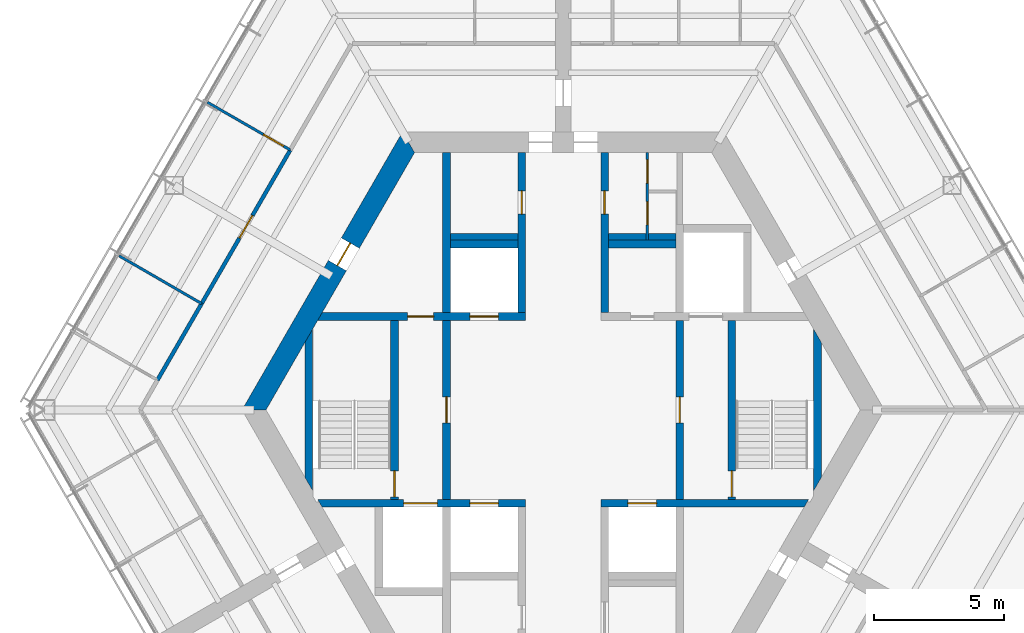
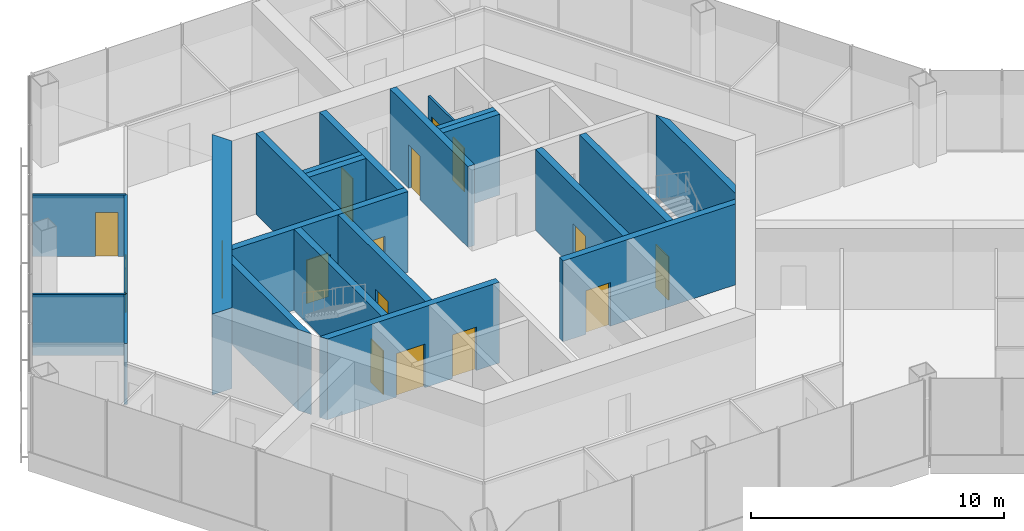
# One storey, part 8 of 13: 22 walls, 16 doors, 16 openings.
"""IFC4 building model written with IfcOpenShell, lengths in metres."""

from ifc_helpers import new_model, si_unit, direction, frame, frame_2d, origin, place, context, subcontext, project, spatial, polyline, rectangle, outline, extrude, material, layer, layer_set, type_object, element, fill, save


model = new_model("IFC4")

# Units and contexts
model_context = context("Model", 3, precision=1e-05, world=origin(), true_north=direction((0.0, 1.0)))
body_context = subcontext(model_context, "Body", "Model", "MODEL_VIEW")
ifc_project = project(units=[si_unit("LENGTHUNIT", "METRE"), si_unit("AREAUNIT", "SQUARE_METRE"), si_unit("VOLUMEUNIT", "CUBIC_METRE"), si_unit("PLANEANGLEUNIT", "RADIAN"), si_unit("MASSUNIT", "GRAM", prefix="KILO")], contexts=[model_context])

# Site, building, storey
site_placement = place(None, origin())
site = spatial("IfcSite", under=ifc_project, at=site_placement, CompositionType="ELEMENT")
building_placement = place(site_placement, origin())
building = spatial("IfcBuilding", under=site, at=building_placement, Name="Kasaneha Research Tower", CompositionType="ELEMENT")
storey_placement = place(building_placement, frame((0.0, 0.0, 290.800048828125)))
storey = spatial("IfcBuildingStorey", under=building, at=storey_placement, Name="L73", CompositionType="ELEMENT", Elevation=290.800048828125)

# Wall, openings, doors
ifc_material_1 = material(Name="Concrete Fc60", Category="concrete")
ifc_layer_1 = layer(ifc_material_1, 0.300048828125)
ifc_layer_set_1 = layer_set([ifc_layer_1], Name="Core internal wall 300 Fc60")
wall_type_1 = type_object("IfcWallType", Name="Core internal wall 300 Fc60", PredefinedType="SHEAR", material=ifc_layer_set_1)
wall_1_placement = place(storey_placement, frame((-9.3818359375, 3.60009765625, 0.0), z_axis=(0.0, 0.0, 1.0), x_axis=(1.0, 0.0, 0.0)))
wall_1 = element("IfcWall", 1, at=wall_1_placement, inside=storey, type_object=wall_type_1, Name="Core wall W1W L73", PredefinedType="SHEAR", context=body_context, shape_type="SweptSolid", body=[
    extrude(outline(polyline([(-0.086669921875, -0.14990234375), (3.3818359375, -0.14990234375), (4.3818359375, -0.14990234375), (5.781982421875, -0.14990234375), (6.882080078125, -0.14990234375), (7.931884765625, -0.14990234375), (7.931884765625, 0.14990234375), (6.882080078125, 0.14990234375), (5.781982421875, 0.14990234375), (4.3818359375, 0.14990234375), (3.3818359375, 0.14990234375), (0.086669921875, 0.14990234375), (-0.086669921875, -0.14990234375)])), origin(), (0.0, 0.0, 1.0), 3.89990234375),
])
opening_1_placement = place(wall_1_placement, frame((3.3818359375, 0.0, 0.0)))
opening_1 = element("IfcOpeningElement", 2, at=opening_1_placement, cuts=wall_1, Name="Opening L73-D12", PredefinedType="OPENING", context=body_context, shape_type="SweptSolid", body=[
    extrude(rectangle(XDim=1.0, YDim=2.10009765625, at=frame_2d((0.5, 1.050048828125))), frame((0.0, 0.16015625, 0.0), z_axis=(0.0, -1.0, 0.0), x_axis=(1.0, 0.0, 0.0)), (0.0, 0.0, 1.0), 0.320068359375),
])
opening_2_placement = place(wall_1_placement, frame((5.781982421875, 0.0, 0.0)))
opening_2 = element("IfcOpeningElement", 3, at=opening_2_placement, cuts=wall_1, Name="Opening LD-LH2-L73", PredefinedType="OPENING", context=body_context, shape_type="SweptSolid", body=[
    extrude(rectangle(XDim=1.10009765625, YDim=2.10009765625, at=frame_2d((0.550048828125, 1.050048828125))), frame((0.0, 0.16015625, 0.0), z_axis=(0.0, -1.0, 0.0), x_axis=(1.0, 0.0, 0.0)), (0.0, 0.0, 1.0), 0.320068359375),
])
ifc_material_2 = material(Name="Steel", Category="steel")
door_type_1 = type_object("IfcDoorType", Name="Lift landing door 1100x2100", OperationType="DOUBLE_DOOR_SLIDING", PredefinedType="DOOR", material=ifc_material_2)
door_1_placement = place(opening_2_placement, origin())
door_1 = element("IfcDoor", 4, at=door_1_placement, inside=storey, type_object=door_type_1, Name="Landing door LH2 LD-LH2-L73", OperationType="DOUBLE_DOOR_SLIDING", OverallHeight=2.10009765625, OverallWidth=1.10009765625, PredefinedType="DOOR", context=body_context, shape_type="SweptSolid", body=[
    extrude(rectangle(XDim=1.10009765625, YDim=2.10009765625, at=frame_2d((0.550048828125, 1.050048828125))), frame((0.0, 0.02490234375, 0.0), z_axis=(0.0, -1.0, 0.0), x_axis=(1.0, 0.0, 0.0)), (0.0, 0.0, 1.0), 0.050048828125),
])
fill(opening_2, door_1)
ifc_material_3 = material(Name="Steel", Category="steel")
door_type_2 = type_object("IfcDoorType", Name="Specified fire door FD60 1000x2100", OperationType="NOTDEFINED", PredefinedType="DOOR", material=ifc_material_3)
door_2_placement = place(opening_1_placement, origin())
door_2 = element("IfcDoor", 5, at=door_2_placement, inside=storey, type_object=door_type_2, Name="Vestibule to lobby door L73-D12", OperationType="SINGLE_SWING_LEFT", OverallHeight=2.10009765625, OverallWidth=1.0, PredefinedType="DOOR", context=body_context, shape_type="SweptSolid", body=[
    extrude(rectangle(XDim=1.0, YDim=2.10009765625, at=frame_2d((0.5, 1.050048828125))), frame((0.0, 0.02490234375, 0.0), z_axis=(0.0, -1.0, 0.0), x_axis=(1.0, 0.0, 0.0)), (0.0, 0.0, 1.0), 0.050048828125),
])
fill(opening_1, door_2)

wall_2_placement = place(storey_placement, frame((-9.3818359375, -3.60009765625, 0.0), z_axis=(0.0, 0.0, 1.0), x_axis=(1.0, 0.0, 0.0)))
wall_2 = element("IfcWall", 6, at=wall_2_placement, inside=storey, type_object=wall_type_1, Name="Core wall W2W L73", PredefinedType="SHEAR", context=body_context, shape_type="SweptSolid", body=[
    extrude(outline(polyline([(0.086669921875, -0.14990234375), (3.23193359375, -0.14990234375), (4.531982421875, -0.14990234375), (5.781982421875, -0.14990234375), (6.882080078125, -0.14990234375), (7.931884765625, -0.14990234375), (7.931884765625, 0.14990234375), (6.882080078125, 0.14990234375), (5.781982421875, 0.14990234375), (4.531982421875, 0.14990234375), (3.23193359375, 0.14990234375), (-0.086669921875, 0.14990234375), (0.086669921875, -0.14990234375)])), origin(), (0.0, 0.0, 1.0), 3.89990234375),
])
opening_3_placement = place(wall_2_placement, frame((5.781982421875, 0.0, 0.0)))
opening_3 = element("IfcOpeningElement", 7, at=opening_3_placement, cuts=wall_2, Name="Opening LD-LH1-L73", PredefinedType="OPENING", context=body_context, shape_type="SweptSolid", body=[
    extrude(rectangle(XDim=1.10009765625, YDim=2.10009765625, at=frame_2d((0.550048828125, 1.050048828125))), frame((0.0, 0.16015625, 0.0), z_axis=(0.0, -1.0, 0.0), x_axis=(1.0, 0.0, 0.0)), (0.0, 0.0, 1.0), 0.320068359375),
])
opening_4_placement = place(wall_2_placement, frame((3.23193359375, 0.0, 0.0)))
opening_4 = element("IfcOpeningElement", 8, at=opening_4_placement, cuts=wall_2, Name="Opening LD-FL2-L73", PredefinedType="OPENING", context=body_context, shape_type="SweptSolid", body=[
    extrude(rectangle(XDim=1.300048828125, YDim=2.10009765625, at=frame_2d((0.64990234375, 1.050048828125))), frame((0.0, 0.16015625, 0.0), z_axis=(0.0, -1.0, 0.0), x_axis=(1.0, 0.0, 0.0)), (0.0, 0.0, 1.0), 0.320068359375),
])
door_3_placement = place(opening_3_placement, origin())
door_3 = element("IfcDoor", 9, at=door_3_placement, inside=storey, type_object=door_type_1, Name="Landing door LH1 LD-LH1-L73", OperationType="DOUBLE_DOOR_SLIDING", OverallHeight=2.10009765625, OverallWidth=1.10009765625, PredefinedType="DOOR", context=body_context, shape_type="SweptSolid", body=[
    extrude(rectangle(XDim=1.10009765625, YDim=2.10009765625, at=frame_2d((0.550048828125, 1.050048828125))), frame((0.0, 0.02490234375, 0.0), z_axis=(0.0, -1.0, 0.0), x_axis=(1.0, 0.0, 0.0)), (0.0, 0.0, 1.0), 0.050048828125),
])
fill(opening_3, door_3)
ifc_material_4 = material(Name="Steel", Category="steel")
door_type_3 = type_object("IfcDoorType", Name="Lift landing door 1300x2100", OperationType="DOUBLE_DOOR_SLIDING", PredefinedType="DOOR", material=ifc_material_4)
door_4_placement = place(opening_4_placement, origin())
door_4 = element("IfcDoor", 10, at=door_4_placement, inside=storey, type_object=door_type_3, Name="Landing door FL2 LD-FL2-L73", OperationType="DOUBLE_DOOR_SLIDING", OverallHeight=2.10009765625, OverallWidth=1.300048828125, PredefinedType="DOOR", context=body_context, shape_type="SweptSolid", body=[
    extrude(rectangle(XDim=1.300048828125, YDim=2.10009765625, at=frame_2d((0.64990234375, 1.050048828125))), frame((0.0, 0.02490234375, 0.0), z_axis=(0.0, -1.0, 0.0), x_axis=(1.0, 0.0, 0.0)), (0.0, 0.0, 1.0), 0.050048828125),
])
fill(opening_4, door_4)

# Wall, opening, door
wall_3_placement = place(storey_placement, frame((1.449951171875, -3.60009765625, 0.0), z_axis=(0.0, 0.0, 1.0), x_axis=(1.0, 0.0, 0.0)))
wall_3 = element("IfcWall", 11, at=wall_3_placement, inside=storey, type_object=wall_type_1, Name="Core wall W2E L73", PredefinedType="SHEAR", context=body_context, shape_type="SweptSolid", body=[
    extrude(outline(polyline([(0.0, -0.14990234375), (1.050048828125, -0.14990234375), (2.150146484375, -0.14990234375), (7.84521484375, -0.14990234375), (8.0185546875, 0.14990234375), (2.150146484375, 0.14990234375), (1.050048828125, 0.14990234375), (0.0, 0.14990234375), (0.0, -0.14990234375)])), origin(), (0.0, 0.0, 1.0), 3.89990234375),
])
opening_5_placement = place(wall_3_placement, frame((1.050048828125, 0.0, 0.0)))
opening_5 = element("IfcOpeningElement", 12, at=opening_5_placement, cuts=wall_3, Name="Opening LD-LH3-L73", PredefinedType="OPENING", context=body_context, shape_type="SweptSolid", body=[
    extrude(rectangle(XDim=1.10009765625, YDim=2.10009765625, at=frame_2d((0.550048828125, 1.050048828125))), frame((0.0, 0.16015625, 0.0), z_axis=(0.0, -1.0, 0.0), x_axis=(1.0, 0.0, 0.0)), (0.0, 0.0, 1.0), 0.320068359375),
])
door_5_placement = place(opening_5_placement, origin())
door_5 = element("IfcDoor", 13, at=door_5_placement, inside=storey, type_object=door_type_1, Name="Landing door LH3 LD-LH3-L73", OperationType="DOUBLE_DOOR_SLIDING", OverallHeight=2.10009765625, OverallWidth=1.10009765625, PredefinedType="DOOR", context=body_context, shape_type="SweptSolid", body=[
    extrude(rectangle(XDim=1.10009765625, YDim=2.10009765625, at=frame_2d((0.550048828125, 1.050048828125))), frame((0.0, 0.02490234375, 0.0), z_axis=(0.0, -1.0, 0.0), x_axis=(1.0, 0.0, 0.0)), (0.0, 0.0, 1.0), 0.050048828125),
])
fill(opening_5, door_5)

wall_4_placement = place(storey_placement, frame((-1.60009765625, 3.75, 0.0), z_axis=(0.0, 0.0, 1.0), x_axis=(0.0, 1.0, 0.0)))
wall_4 = element("IfcWall", 14, at=wall_4_placement, inside=storey, type_object=wall_type_1, Name="Core wall CNW L73", PredefinedType="SHEAR", context=body_context, shape_type="SweptSolid", body=[
    extrude(rectangle(XDim=6.175048828125, YDim=0.300048828125, at=frame_2d((3.08740234375, 0.0))), origin(), (0.0, 0.0, 1.0), 3.89990234375),
])
opening_6_placement = place(wall_4_placement, frame((3.800048828125, 0.0, 0.0)))
opening_6 = element("IfcOpeningElement", 15, at=opening_6_placement, cuts=wall_4, Name="Opening L73-D13", PredefinedType="OPENING", context=body_context, shape_type="SweptSolid", body=[
    extrude(rectangle(XDim=0.89990234375, YDim=2.10009765625, at=frame_2d((0.449951171875, 1.050048828125))), frame((0.0, 0.16015625, 0.0), z_axis=(0.0, -1.0, 0.0), x_axis=(1.0, 0.0, 0.0)), (0.0, 0.0, 1.0), 0.320068359375),
])
ifc_material_5 = material(Name="Steel", Category="steel")
door_type_4 = type_object("IfcDoorType", Name="Toilet door FD20 900x2100", OperationType="NOTDEFINED", PredefinedType="DOOR", material=ifc_material_5)
door_6_placement = place(opening_6_placement, origin())
door_6 = element("IfcDoor", 16, at=door_6_placement, inside=storey, type_object=door_type_4, Name="Men's WC door L73-D13", OperationType="SINGLE_SWING_LEFT", OverallHeight=2.10009765625, OverallWidth=0.89990234375, PredefinedType="DOOR", context=body_context, shape_type="SweptSolid", body=[
    extrude(rectangle(XDim=0.89990234375, YDim=2.10009765625, at=frame_2d((0.449951171875, 1.050048828125))), frame((0.0, 0.02490234375, 0.0), z_axis=(0.0, -1.0, 0.0), x_axis=(1.0, 0.0, 0.0)), (0.0, 0.0, 1.0), 0.050048828125),
])
fill(opening_6, door_6)

wall_5_placement = place(storey_placement, frame((1.60009765625, 3.75, 0.0), z_axis=(0.0, 0.0, 1.0), x_axis=(0.0, 1.0, 0.0)))
wall_5 = element("IfcWall", 17, at=wall_5_placement, inside=storey, type_object=wall_type_1, Name="Core wall CNE L73", PredefinedType="SHEAR", context=body_context, shape_type="SweptSolid", body=[
    extrude(rectangle(XDim=6.175048828125, YDim=0.300048828125, at=frame_2d((3.08740234375, 0.0))), origin(), (0.0, 0.0, 1.0), 3.89990234375),
])
opening_7_placement = place(wall_5_placement, frame((3.800048828125, 0.0, 0.0)))
opening_7 = element("IfcOpeningElement", 18, at=opening_7_placement, cuts=wall_5, Name="Opening L73-D14", PredefinedType="OPENING", context=body_context, shape_type="SweptSolid", body=[
    extrude(rectangle(XDim=0.89990234375, YDim=2.10009765625, at=frame_2d((0.449951171875, 1.050048828125))), frame((0.0, 0.16015625, 0.0), z_axis=(0.0, -1.0, 0.0), x_axis=(1.0, 0.0, 0.0)), (0.0, 0.0, 1.0), 0.320068359375),
])
door_7_placement = place(opening_7_placement, origin())
door_7 = element("IfcDoor", 19, at=door_7_placement, inside=storey, type_object=door_type_4, Name="Women's WC door L73-D14", OperationType="SINGLE_SWING_LEFT", OverallHeight=2.10009765625, OverallWidth=0.89990234375, PredefinedType="DOOR", context=body_context, shape_type="SweptSolid", body=[
    extrude(rectangle(XDim=0.89990234375, YDim=2.10009765625, at=frame_2d((0.449951171875, 1.050048828125))), frame((0.0, 0.02490234375, 0.0), z_axis=(0.0, -1.0, 0.0), x_axis=(1.0, 0.0, 0.0)), (0.0, 0.0, 1.0), 0.050048828125),
])
fill(opening_7, door_7)

wall_6_placement = place(storey_placement, frame((-4.5, -3.449951171875, 0.0), z_axis=(0.0, 0.0, 1.0), x_axis=(0.0, 1.0, 0.0)))
wall_6 = element("IfcWall", 20, at=wall_6_placement, inside=storey, type_object=wall_type_1, Name="Core wall LBW L73", PredefinedType="SHEAR", context=body_context, shape_type="SweptSolid", body=[
    extrude(rectangle(XDim=6.89990234375, YDim=0.300048828125, at=frame_2d((3.449951171875, 0.0))), origin(), (0.0, 0.0, 1.0), 3.89990234375),
])
opening_8_placement = place(wall_6_placement, frame((2.949951171875, 0.0, 0.0)))
opening_8 = element("IfcOpeningElement", 21, at=opening_8_placement, cuts=wall_6, Name="Opening L73-D09", PredefinedType="OPENING", context=body_context, shape_type="SweptSolid", body=[
    extrude(rectangle(XDim=1.0, YDim=2.10009765625, at=frame_2d((0.5, 1.050048828125))), frame((0.0, 0.16015625, 0.0), z_axis=(0.0, -1.0, 0.0), x_axis=(1.0, 0.0, 0.0)), (0.0, 0.0, 1.0), 0.320068359375),
])
door_8_placement = place(opening_8_placement, origin())
door_8 = element("IfcDoor", 22, at=door_8_placement, inside=storey, type_object=door_type_2, Name="Lift lobby door west L73-D09", OperationType="SINGLE_SWING_LEFT", OverallHeight=2.10009765625, OverallWidth=1.0, PredefinedType="DOOR", context=body_context, shape_type="SweptSolid", body=[
    extrude(rectangle(XDim=1.0, YDim=2.10009765625, at=frame_2d((0.5, 1.050048828125))), frame((0.0, 0.02490234375, 0.0), z_axis=(0.0, -1.0, 0.0), x_axis=(1.0, 0.0, 0.0)), (0.0, 0.0, 1.0), 0.050048828125),
])
fill(opening_8, door_8)

wall_7_placement = place(storey_placement, frame((4.5, -3.449951171875, 0.0), z_axis=(0.0, 0.0, 1.0), x_axis=(0.0, 1.0, 0.0)))
wall_7 = element("IfcWall", 23, at=wall_7_placement, inside=storey, type_object=wall_type_1, Name="Core wall LBE L73", PredefinedType="SHEAR", context=body_context, shape_type="SweptSolid", body=[
    extrude(rectangle(XDim=6.89990234375, YDim=0.300048828125, at=frame_2d((3.449951171875, 0.0))), origin(), (0.0, 0.0, 1.0), 3.89990234375),
])
opening_9_placement = place(wall_7_placement, frame((2.949951171875, 0.0, 0.0)))
opening_9 = element("IfcOpeningElement", 24, at=opening_9_placement, cuts=wall_7, Name="Opening L73-D08", PredefinedType="OPENING", context=body_context, shape_type="SweptSolid", body=[
    extrude(rectangle(XDim=1.0, YDim=2.10009765625, at=frame_2d((0.5, 1.050048828125))), frame((0.0, 0.16015625, 0.0), z_axis=(0.0, -1.0, 0.0), x_axis=(1.0, 0.0, 0.0)), (0.0, 0.0, 1.0), 0.320068359375),
])
door_9_placement = place(opening_9_placement, origin())
door_9 = element("IfcDoor", 25, at=door_9_placement, inside=storey, type_object=door_type_2, Name="Lift lobby door east L73-D08", OperationType="SINGLE_SWING_LEFT", OverallHeight=2.10009765625, OverallWidth=1.0, PredefinedType="DOOR", context=body_context, shape_type="SweptSolid", body=[
    extrude(rectangle(XDim=1.0, YDim=2.10009765625, at=frame_2d((0.5, 1.050048828125))), frame((0.0, 0.02490234375, 0.0), z_axis=(0.0, -1.0, 0.0), x_axis=(1.0, 0.0, 0.0)), (0.0, 0.0, 1.0), 0.050048828125),
])
fill(opening_9, door_9)

wall_8_placement = place(storey_placement, frame((-6.5, -3.449951171875, 0.0), z_axis=(0.0, 0.0, 1.0), x_axis=(0.0, 1.0, 0.0)))
wall_8 = element("IfcWall", 26, at=wall_8_placement, inside=storey, type_object=wall_type_1, Name="Core wall ANW L73", PredefinedType="SHEAR", context=body_context, shape_type="SweptSolid", body=[
    extrude(rectangle(XDim=6.89990234375, YDim=0.300048828125, at=frame_2d((3.449951171875, 0.0))), origin(), (0.0, 0.0, 1.0), 3.89990234375),
])
opening_10_placement = place(wall_8_placement, frame((0.10009765625, 0.0, 0.0)))
opening_10 = element("IfcOpeningElement", 27, at=opening_10_placement, cuts=wall_8, Name="Opening L73-D11", PredefinedType="OPENING", context=body_context, shape_type="SweptSolid", body=[
    extrude(rectangle(XDim=1.0, YDim=2.10009765625, at=frame_2d((0.5, 1.050048828125))), frame((0.0, 0.16015625, 0.0), z_axis=(0.0, -1.0, 0.0), x_axis=(1.0, 0.0, 0.0)), (0.0, 0.0, 1.0), 0.320068359375),
])
door_10_placement = place(opening_10_placement, origin())
door_10 = element("IfcDoor", 28, at=door_10_placement, inside=storey, type_object=door_type_2, Name="Stair 2 door L73-D11", OperationType="SINGLE_SWING_LEFT", OverallHeight=2.10009765625, OverallWidth=1.0, PredefinedType="DOOR", context=body_context, shape_type="SweptSolid", body=[
    extrude(rectangle(XDim=1.0, YDim=2.10009765625, at=frame_2d((0.5, 1.050048828125))), frame((0.0, 0.02490234375, 0.0), z_axis=(0.0, -1.0, 0.0), x_axis=(1.0, 0.0, 0.0)), (0.0, 0.0, 1.0), 0.050048828125),
])
fill(opening_10, door_10)

wall_9_placement = place(storey_placement, frame((6.5, -3.449951171875, 0.0), z_axis=(0.0, 0.0, 1.0), x_axis=(0.0, 1.0, 0.0)))
wall_9 = element("IfcWall", 29, at=wall_9_placement, inside=storey, type_object=wall_type_1, Name="Core wall ANE L73", PredefinedType="SHEAR", context=body_context, shape_type="SweptSolid", body=[
    extrude(rectangle(XDim=6.89990234375, YDim=0.300048828125, at=frame_2d((3.449951171875, 0.0))), origin(), (0.0, 0.0, 1.0), 3.89990234375),
])
opening_11_placement = place(wall_9_placement, frame((0.10009765625, 0.0, 0.0)))
opening_11 = element("IfcOpeningElement", 30, at=opening_11_placement, cuts=wall_9, Name="Opening L73-D10", PredefinedType="OPENING", context=body_context, shape_type="SweptSolid", body=[
    extrude(rectangle(XDim=1.0, YDim=2.10009765625, at=frame_2d((0.5, 1.050048828125))), frame((0.0, 0.16015625, 0.0), z_axis=(0.0, -1.0, 0.0), x_axis=(1.0, 0.0, 0.0)), (0.0, 0.0, 1.0), 0.320068359375),
])
door_11_placement = place(opening_11_placement, origin())
door_11 = element("IfcDoor", 31, at=door_11_placement, inside=storey, type_object=door_type_2, Name="Stair 1 door L73-D10", OperationType="SINGLE_SWING_LEFT", OverallHeight=2.10009765625, OverallWidth=1.0, PredefinedType="DOOR", context=body_context, shape_type="SweptSolid", body=[
    extrude(rectangle(XDim=1.0, YDim=2.10009765625, at=frame_2d((0.5, 1.050048828125))), frame((0.0, 0.02490234375, 0.0), z_axis=(0.0, -1.0, 0.0), x_axis=(1.0, 0.0, 0.0)), (0.0, 0.0, 1.0), 0.050048828125),
])
fill(opening_11, door_11)

# Walls
wall_10_placement = place(storey_placement, frame((-4.5, 3.75, 0.0), z_axis=(0.0, 0.0, 1.0), x_axis=(0.0, 1.0, 0.0)))
element("IfcWall", 32, at=wall_10_placement, inside=storey, type_object=wall_type_1, Name="Core wall VNW L73", PredefinedType="SHEAR", context=body_context, shape_type="SweptSolid", body=[
    extrude(rectangle(XDim=6.175048828125, YDim=0.300048828125, at=frame_2d((3.08740234375, 0.0))), origin(), (0.0, 0.0, 1.0), 3.89990234375),
])
for number, where, z_axis, x_axis, name in (
    (33, (-4.35009765625, 6.39990234375, 0.0), (0.0, 0.0, 1.0), (1.0, 0.0, 0.0), "Core wall N1N L73"),
    (34, (1.75, 6.39990234375, 0.0), (0.0, 0.0, 1.0), (1.0, 0.0, 0.0), "Core wall N3N L73"),
):
    element("IfcWall", number, at=place(storey_placement, frame(where, z_axis=z_axis, x_axis=x_axis)), inside=storey, type_object=wall_type_1, Name=name, PredefinedType="SHEAR", context=body_context, shape_type="SweptSolid", body=[
        extrude(rectangle(XDim=2.60009765625, YDim=0.300048828125, at=frame_2d((1.300048828125, 0.0))), origin(), (0.0, 0.0, 1.0), 3.89990234375),
    ])
wall_11_placement = place(storey_placement, frame((9.807861328125, -2.8623046875, 0.0), z_axis=(0.0, 0.0, 1.0), x_axis=(0.0, 1.0, 0.0)))
element("IfcWall", 35, at=wall_11_placement, inside=storey, type_object=wall_type_1, Name="Core wall STE L73", PredefinedType="SHEAR", context=body_context, shape_type="SweptSolid", body=[
    extrude(outline(polyline([(0.259765625, -0.14990234375), (5.46484375, -0.14990234375), (5.984375, 0.14990234375), (-0.259765625, 0.14990234375), (0.259765625, -0.14990234375)])), origin(), (0.0, 0.0, 1.0), 3.89990234375),
])
wall_12_placement = place(storey_placement, frame((-9.807861328125, -2.8623046875, 0.0), z_axis=(0.0, 0.0, 1.0), x_axis=(0.0, 1.0, 0.0)))
element("IfcWall", 36, at=wall_12_placement, inside=storey, type_object=wall_type_1, Name="Core wall STW L73", PredefinedType="SHEAR", context=body_context, shape_type="SweptSolid", body=[
    extrude(outline(polyline([(-0.259765625, -0.14990234375), (5.984375, -0.14990234375), (5.46484375, 0.14990234375), (0.259765625, 0.14990234375), (-0.259765625, -0.14990234375)])), origin(), (0.0, 0.0, 1.0), 3.89990234375),
])

# Wall, opening, door
ifc_material_6 = material(Name="Concrete Fc60", Category="concrete")
ifc_layer_2 = layer(ifc_material_6, 0.800048828125)
ifc_layer_set_2 = layer_set([ifc_layer_2], Name="Core wall 800 Fc60")
wall_type_2 = type_object("IfcWallType", Name="Core wall 800 Fc60", PredefinedType="SHEAR", material=ifc_layer_set_2)
wall_13_placement = place(storey_placement, frame((-5.961181640625, 10.324951171875, 0.0), z_axis=(0.0, 0.0, 1.0), x_axis=(-0.500004296715, -0.866022923061, 0.0)))
wall_13 = element("IfcWall", 37, at=wall_13_placement, inside=storey, type_object=wall_type_2, Name="Core wall 150 L73", PredefinedType="SHEAR", context=body_context, shape_type="SweptSolid", body=[
    extrude(outline(polyline([(-0.23095703125, -0.39990234375), (4.494140625, -0.39990234375), (5.494140625, -0.39990234375), (12.1533203125, -0.39990234375), (11.69140625, 0.39990234375), (5.494140625, 0.39990234375), (4.494140625, 0.39990234375), (0.23095703125, 0.39990234375), (-0.23095703125, -0.39990234375)])), origin(), (0.0, 0.0, 1.0), 3.89990234375),
])
opening_12_placement = place(wall_13_placement, frame((4.494140625, 0.0, 0.0)))
opening_12 = element("IfcOpeningElement", 38, at=opening_12_placement, cuts=wall_13, Name="Opening L73-D07", PredefinedType="OPENING", context=body_context, shape_type="SweptSolid", body=[
    extrude(rectangle(XDim=1.0, YDim=2.10009765625, at=frame_2d((0.5, 1.050048828125))), frame((0.0, 0.41015625, 0.0), z_axis=(0.0, -1.0, 0.0), x_axis=(1.0, 0.0, 0.0)), (0.0, 0.0, 1.0), 0.820068359375),
])
ifc_material_7 = material(Name="Steel", Category="steel")
door_type_5 = type_object("IfcDoorType", Name="Fire door FD20 1000x2100", OperationType="NOTDEFINED", PredefinedType="DOOR", material=ifc_material_7)
door_12_placement = place(opening_12_placement, origin())
door_12 = element("IfcDoor", 39, at=door_12_placement, inside=storey, type_object=door_type_5, Name="Vestibule door L73-D07", OperationType="SINGLE_SWING_LEFT", OverallHeight=2.10009765625, OverallWidth=1.0, PredefinedType="DOOR", context=body_context, shape_type="SweptSolid", body=[
    extrude(rectangle(XDim=1.0, YDim=2.10009765625, at=frame_2d((0.5, 1.050048828125))), frame((0.0, 0.02490234375, 0.0), z_axis=(0.0, -1.0, 0.0), x_axis=(1.0, 0.0, 0.0)), (0.0, 0.0, 1.0), 0.050048828125),
])
fill(opening_12, door_12)

# Wall, openings, doors
ifc_material_8 = material(Name="Gypsum board on steel studs, one layer each side", Category="steel")
ifc_layer_3 = layer(ifc_material_8, 0.10009765625)
ifc_layer_set_3 = layer_set([ifc_layer_3], Name="Office partition 100")
wall_type_3 = type_object("IfcWallType", Name="Office partition 100", PredefinedType="PARTITIONING", material=ifc_layer_set_3)
wall_14_placement = place(storey_placement, frame((3.25, 6.550048828125, 0.0), z_axis=(0.0, 0.0, 1.0), x_axis=(0.0, 1.0, 0.0)))
wall_14 = element("IfcWall", 40, at=wall_14_placement, inside=storey, type_object=wall_type_3, Name="Office partition TBF1 L73", PredefinedType="PARTITIONING", context=body_context, shape_type="SweptSolid", body=[
    extrude(rectangle(XDim=3.375, YDim=0.10009765625, at=frame_2d((1.6875, 0.0))), origin(), (0.0, 0.0, 1.0), 2.949951171875),
])
opening_13_placement = place(wall_14_placement, frame((0.58740234375, 0.0, 0.0)))
opening_13 = element("IfcOpeningElement", 41, at=opening_13_placement, cuts=wall_14, Name="Opening L73-D21", PredefinedType="OPENING", context=body_context, shape_type="SweptSolid", body=[
    extrude(rectangle(XDim=0.89990234375, YDim=2.10009765625, at=frame_2d((0.449951171875, 1.050048828125))), frame((0.0, 0.06005859375, 0.0), z_axis=(0.0, -1.0, 0.0), x_axis=(1.0, 0.0, 0.0)), (0.0, 0.0, 1.0), 0.1201171875),
])
opening_14_placement = place(wall_14_placement, frame((2.199951171875, 0.0, 0.0)))
opening_14 = element("IfcOpeningElement", 42, at=opening_14_placement, cuts=wall_14, Name="Opening L73-D22", PredefinedType="OPENING", context=body_context, shape_type="SweptSolid", body=[
    extrude(rectangle(XDim=0.89990234375, YDim=2.10009765625, at=frame_2d((0.449951171875, 1.050048828125))), frame((0.0, 0.06005859375, 0.0), z_axis=(0.0, -1.0, 0.0), x_axis=(1.0, 0.0, 0.0)), (0.0, 0.0, 1.0), 0.1201171875),
])
ifc_material_9 = material(Name="Steel", Category="steel")
door_type_6 = type_object("IfcDoorType", Name="Toilet lobby door FD30 900x2100", OperationType="NOTDEFINED", PredefinedType="DOOR", material=ifc_material_9)
door_13_placement = place(opening_13_placement, origin())
door_13 = element("IfcDoor", 43, at=door_13_placement, inside=storey, type_object=door_type_6, Name="Women's WC door L73-D21", OperationType="SINGLE_SWING_RIGHT", OverallHeight=2.10009765625, OverallWidth=0.89990234375, PredefinedType="DOOR", context=body_context, shape_type="SweptSolid", body=[
    extrude(rectangle(XDim=0.89990234375, YDim=2.10009765625, at=frame_2d((0.449951171875, 1.050048828125))), frame((0.0, 0.02490234375, 0.0), z_axis=(0.0, -1.0, 0.0), x_axis=(1.0, 0.0, 0.0)), (0.0, 0.0, 1.0), 0.050048828125),
])
fill(opening_13, door_13)
door_14_placement = place(opening_14_placement, origin())
door_14 = element("IfcDoor", 44, at=door_14_placement, inside=storey, type_object=door_type_6, Name="Cleaner's store door L73-D22", OperationType="SINGLE_SWING_RIGHT", OverallHeight=2.10009765625, OverallWidth=0.89990234375, PredefinedType="DOOR", context=body_context, shape_type="SweptSolid", body=[
    extrude(rectangle(XDim=0.89990234375, YDim=2.10009765625, at=frame_2d((0.449951171875, 1.050048828125))), frame((0.0, 0.02490234375, 0.0), z_axis=(0.0, -1.0, 0.0), x_axis=(1.0, 0.0, 0.0)), (0.0, 0.0, 1.0), 0.050048828125),
])
fill(opening_14, door_14)

# Wall, opening, door
wall_15_placement = place(storey_placement, frame((-10.522705078125, 10.0244140625, 0.0), z_axis=(0.0, 0.0, 1.0), x_axis=(-0.866669326341, 0.498883031161, 0.0)))
wall_15 = element("IfcWall", 45, at=wall_15_placement, inside=storey, type_object=wall_type_3, Name="Office partition FBN08 L73", PredefinedType="PARTITIONING", context=body_context, shape_type="SweptSolid", body=[
    extrude(rectangle(XDim=3.685546875, YDim=0.10009765625, at=frame_2d((1.8427734375, 0.0))), origin(), (0.0, 0.0, 1.0), 2.949951171875),
])
opening_15_placement = place(wall_15_placement, frame((0.300048828125, 0.0, 0.0)))
opening_15 = element("IfcOpeningElement", 46, at=opening_15_placement, cuts=wall_15, Name="Opening L73-D34", PredefinedType="OPENING", context=body_context, shape_type="SweptSolid", body=[
    extrude(rectangle(XDim=0.89990234375, YDim=2.10009765625, at=frame_2d((0.449951171875, 1.050048828125))), frame((0.0, 0.06005859375, 0.0), z_axis=(0.0, -1.0, 0.0), x_axis=(1.0, 0.0, 0.0)), (0.0, 0.0, 1.0), 0.1201171875),
])
ifc_material_10 = material(Name="Timber veneer", Category="wood")
door_type_7 = type_object("IfcDoorType", Name="Office door 900x2100", OperationType="SINGLE_SWING_LEFT", PredefinedType="DOOR", material=ifc_material_10)
door_15_placement = place(opening_15_placement, origin())
door_15 = element("IfcDoor", 47, at=door_15_placement, inside=storey, type_object=door_type_7, Name="Executive office door L73-D34", OperationType="SINGLE_SWING_LEFT", OverallHeight=2.10009765625, OverallWidth=0.89990234375, PredefinedType="DOOR", context=body_context, shape_type="SweptSolid", body=[
    extrude(rectangle(XDim=0.89990234375, YDim=2.10009765625, at=frame_2d((0.449951171875, 1.050048828125))), frame((0.0, 0.02490234375, 0.0), z_axis=(0.0, -1.0, 0.0), x_axis=(1.0, 0.0, 0.0)), (0.0, 0.0, 1.0), 0.050048828125),
])
fill(opening_15, door_15)

# Walls
wall_16_placement = place(storey_placement, frame((-17.123291015625, 5.9423828125, 0.0), z_axis=(0.0, 0.0, 1.0), x_axis=(0.865383836577, -0.501109584214, 0.0)))
element("IfcWall", 48, at=wall_16_placement, inside=storey, type_object=wall_type_3, Name="Office partition FBN11 L73", PredefinedType="PARTITIONING", context=body_context, shape_type="SweptSolid", body=[
    extrude(rectangle(XDim=3.675537109375, YDim=0.10009765625, at=frame_2d((1.837890625, 0.0))), origin(), (0.0, 0.0, 1.0), 2.949951171875),
])
ifc_material_11 = material(Name="Gypsum board on steel studs, two layers each side", Category="steel")
ifc_layer_4 = layer(ifc_material_11, 0.14990234375)
ifc_layer_set_4 = layer_set([ifc_layer_4], Name="Suite partition 150")
wall_type_4 = type_object("IfcWallType", Name="Suite partition 150", PredefinedType="PARTITIONING", material=ifc_layer_set_4)
wall_17_placement = place(storey_placement, frame((-15.650634765625, 1.142333984375, 0.0), z_axis=(0.0, 0.0, 1.0), x_axis=(0.500032973541, 0.866006365664, 0.0)))
element("IfcWall", 49, at=wall_17_placement, inside=storey, type_object=wall_type_4, Name="Suite partition FBN04 L73", PredefinedType="PARTITIONING", context=body_context, shape_type="SweptSolid", body=[
    extrude(rectangle(XDim=3.425537109375, YDim=0.14990234375, at=frame_2d((1.712890625, 0.0))), origin(), (0.0, 0.0, 1.0), 2.949951171875),
])

# Wall, opening, door
wall_18_placement = place(storey_placement, frame((-13.942626953125, 4.1005859375, 0.0), z_axis=(0.0, 0.0, 1.0), x_axis=(0.499977863513, 0.866038183914, 0.0)))
wall_18 = element("IfcWall", 50, at=wall_18_placement, inside=storey, type_object=wall_type_4, Name="Suite partition FBN05 L73", PredefinedType="PARTITIONING", context=body_context, shape_type="SweptSolid", body=[
    extrude(rectangle(XDim=6.840087890625, YDim=0.14990234375, at=frame_2d((3.419921875, 0.0))), origin(), (0.0, 0.0, 1.0), 2.949951171875),
])
opening_16_placement = place(wall_18_placement, frame((2.919921875, 0.0, 0.0)))
opening_16 = element("IfcOpeningElement", 51, at=opening_16_placement, cuts=wall_18, Name="Opening L73-D32", PredefinedType="OPENING", context=body_context, shape_type="SweptSolid", body=[
    extrude(rectangle(XDim=1.0, YDim=2.10009765625, at=frame_2d((0.5, 1.050048828125))), frame((0.0, 0.0849609375, 0.0), z_axis=(0.0, -1.0, 0.0), x_axis=(1.0, 0.0, 0.0)), (0.0, 0.0, 1.0), 0.169921875),
])
ifc_material_12 = material(Name="Steel", Category="steel")
door_type_8 = type_object("IfcDoorType", Name="Suite entrance door FD60 1000x2100", OperationType="NOTDEFINED", PredefinedType="DOOR", material=ifc_material_12)
door_16_placement = place(opening_16_placement, origin())
door_16 = element("IfcDoor", 52, at=door_16_placement, inside=storey, type_object=door_type_8, Name="Suite entrance door L73-D32", OperationType="SINGLE_SWING_RIGHT", OverallHeight=2.10009765625, OverallWidth=1.0, PredefinedType="DOOR", context=body_context, shape_type="SweptSolid", body=[
    extrude(rectangle(XDim=1.0, YDim=2.10009765625, at=frame_2d((0.5, 1.050048828125))), frame((0.0, 0.02490234375, 0.0), z_axis=(0.0, -1.0, 0.0), x_axis=(1.0, 0.0, 0.0)), (0.0, 0.0, 1.0), 0.050048828125),
])
fill(opening_16, door_16)

# Walls
ifc_material_13 = material(Name="Concrete block lining", Category="concrete")
ifc_layer_5 = layer(ifc_material_13, 0.25)
ifc_layer_set_5 = layer_set([ifc_layer_5], Name="WC plumbing wall 250")
wall_type_5 = type_object("IfcWallType", Name="WC plumbing wall 250", PredefinedType="PLUMBINGWALL", material=ifc_layer_set_5)
for number, where, z_axis, x_axis, name in (
    (53, (-4.35009765625, 6.675048828125, 0.0), (0.0, 0.0, 1.0), (1.0, 0.0, 0.0), "WC plumbing wall M L73"),
    (54, (1.75, 6.675048828125, 0.0), (0.0, 0.0, 1.0), (1.0, 0.0, 0.0), "WC plumbing wall F L73"),
):
    element("IfcWall", number, at=place(storey_placement, frame(where, z_axis=z_axis, x_axis=x_axis)), inside=storey, type_object=wall_type_5, Name=name, PredefinedType="PLUMBINGWALL", context=body_context, shape_type="SweptSolid", body=[
        extrude(rectangle(XDim=2.60009765625, YDim=0.25, at=frame_2d((1.300048828125, 0.0))), origin(), (0.0, 0.0, 1.0), 3.89990234375),
    ])

save(model, "model.ifc")
